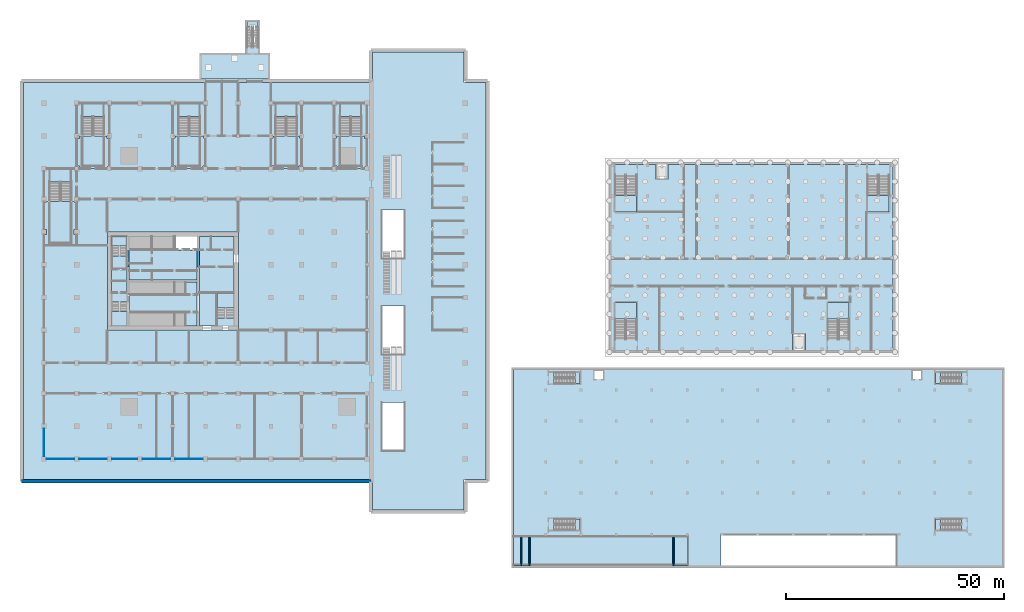
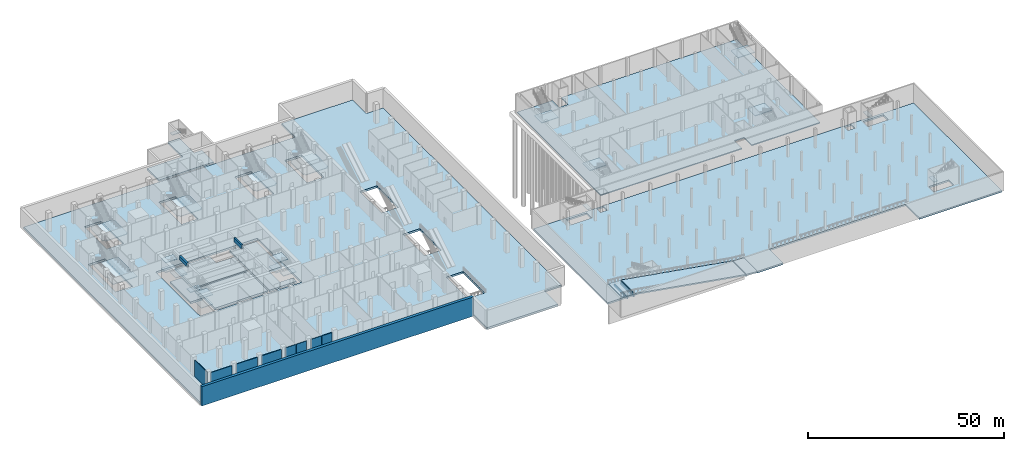
# One storey, part 4 of 45: 34 slabs, 9 walls, 5 beams, 17 elements without a shape of their own.
"""IFC4 building model written with IfcOpenShell, lengths in metres."""

from ifc_helpers import new_model, si_unit, direction, frame, frame_2d, origin, origin_2d, place, context, subcontext, project, spatial, polyline, rectangle, outline, extrude, material, layer, layer_set, material_profile, profile_set, type_object, element, aggregate, save


model = new_model("IFC4")

# Units and contexts
model_context = context("Model", 3, precision=1e-05, world=origin(), true_north=direction((0.0, 1.0)))
body_context = subcontext(model_context, "Body", "Model", "MODEL_VIEW")
ifc_project = project(units=[si_unit("LENGTHUNIT", "METRE"), si_unit("AREAUNIT", "SQUARE_METRE"), si_unit("VOLUMEUNIT", "CUBIC_METRE"), si_unit("PLANEANGLEUNIT", "RADIAN"), si_unit("MASSUNIT", "GRAM", prefix="KILO")], contexts=[model_context])

# Site, building, storey
site_placement = place(None, origin())
site = spatial("IfcSite", under=ifc_project, at=site_placement, CompositionType="ELEMENT")
building_placement = place(site_placement, origin())
building = spatial("IfcBuilding", under=site, at=building_placement, Name="Tamorin Gate", CompositionType="ELEMENT")
storey_placement = place(building_placement, frame((0.0, 0.0, -6.0)))
storey = spatial("IfcBuildingStorey", under=building, at=storey_placement, Name="B1", CompositionType="ELEMENT", Elevation=-6.0)

# Beams
ifc_material_1 = material(Name="Concrete C40/50", Category="concrete")
ifc_material_profile_1 = material_profile(ifc_material_1, rectangle(XDim=0.300048828125, YDim=0.60009765625, at=origin_2d()))
ifc_profile_set_1 = profile_set([ifc_material_profile_1], Name="Concrete C40/50")
beam_type_1 = type_object("IfcBeamType", Name="RC Ramp edge beam 300x600 C40/50", PredefinedType="BEAM", material=ifc_profile_set_1)
for number, where, z_axis, x_axis, name in (
    (1, (124.800048828125, 6.0, 5.163330078125), (0.0, 1.0, 0.0), (-1.0, 0.0, 0.0), "Ramp edge beam"),
    (2, (126.71337890625, 6.0, 5.0556640625), (0.0, 1.0, 0.0), (-1.0, 0.0, 0.0), "Ramp junction beam"),
    (3, (159.699951171875, 6.0, -0.050048828125), (0.0, 1.0, 0.0), (-1.0, 0.0, 0.0), "Ramp junction beam"),
):
    element("IfcBeam", number, at=place(storey_placement, frame(where, z_axis=z_axis, x_axis=x_axis)), inside=storey, type_object=beam_type_1, Name=name, PredefinedType="BEAM", context=body_context, shape_type="SweptSolid", body=[
        extrude(rectangle(XDim=0.300048828125, YDim=0.60009765625, at=origin_2d()), origin(), (0.0, 0.0, 1.0), 6.60009765625),
    ])
ifc_material_2 = material(Name="Concrete C80/95", Category="concrete")
ifc_material_profile_2 = material_profile(ifc_material_2, rectangle(XDim=0.5, YDim=1.199951171875, at=origin_2d()), Name="RC 500x1200")
ifc_profile_set_2 = profile_set([ifc_material_profile_2], Name="Concrete C80/95")
beam_type_2 = type_object("IfcBeamType", Name="RC coupling beam 500x1200 C80/95", PredefinedType="BEAM", material=ifc_profile_set_2)
for number, where, z_axis, x_axis, name in (
    (4, (34.75, 74.449951171875, 5.39990234375), (0.0, 1.0, 0.0), (-1.0, 0.0, 0.0), "Coupling beam B1"),
    (5, (50.85009765625, 74.449951171875, 5.39990234375), (0.0, 1.0, 0.0), (-1.0, 0.0, 0.0), "Coupling beam B1"),
):
    element("IfcBeam", number, at=place(storey_placement, frame(where, z_axis=z_axis, x_axis=x_axis)), inside=storey, type_object=beam_type_2, Name=name, PredefinedType="BEAM", context=body_context, shape_type="SweptSolid", body=[
        extrude(rectangle(XDim=0.5, YDim=1.199951171875, at=origin_2d()), origin(), (0.0, 0.0, 1.0), 3.85009765625),
    ])

# Slabs
ifc_layer_1 = layer(ifc_material_1, 0.60009765625)
ifc_layer_set_1 = layer_set([ifc_layer_1], Name="Basement slab 600 C40/50")
slab_type_1 = type_object("IfcSlabType", Name="Basement slab 600 C40/50", PredefinedType="BASESLAB", material=ifc_layer_set_1)
slab_1_placement = place(storey_placement, frame((0.0, 0.0, -0.60009765625)))
element("IfcSlab", 6, at=slab_1_placement, inside=storey, type_object=slab_type_1, Name="Basement B1", PredefinedType="FLOOR", context=body_context, shape_type="SweptSolid", body=[
    extrude(outline(polyline([(116.699951171875, 116.699951171875), (116.699951171875, 25.800048828125), (111.699951171875, 25.800048828125), (111.699951171875, 18.800048828125), (90.800048828125, 18.800048828125), (90.800048828125, 25.800048828125), (10.800048828125, 25.800048828125), (10.800048828125, 116.699951171875), (90.800048828125, 116.699951171875), (90.800048828125, 123.699951171875), (111.699951171875, 123.699951171875), (111.699951171875, 116.699951171875), (116.699951171875, 116.699951171875)]), holes=[polyline([(60.0, 60.0), (60.0, 82.5), (30.0, 82.5), (30.0, 60.0), (60.0, 60.0)]), polyline([(16.775390625, 93.99951171875), (21.724609375, 93.99951171875), (21.724609375, 80.00048828125), (16.775390625, 80.00048828125), (16.775390625, 93.99951171875)]), polyline([(24.275390625, 108.99951171875), (29.224609375, 108.99951171875), (29.224609375, 97.6005859375), (24.275390625, 97.6005859375), (24.275390625, 108.99951171875)]), polyline([(46.275390625, 108.99951171875), (51.224609375, 108.99951171875), (51.224609375, 97.6005859375), (46.275390625, 97.6005859375), (46.275390625, 108.99951171875)]), polyline([(68.525390625, 108.99951171875), (73.474609375, 108.99951171875), (73.474609375, 97.6005859375), (68.525390625, 97.6005859375), (68.525390625, 108.99951171875)]), polyline([(83.275390625, 108.99951171875), (88.224609375, 108.99951171875), (88.224609375, 97.6005859375), (83.275390625, 97.6005859375), (83.275390625, 108.99951171875)]), polyline([(97.99951171875, 32.50048828125), (93.00048828125, 32.50048828125), (93.00048828125, 43.49951171875), (97.99951171875, 43.49951171875), (97.99951171875, 32.50048828125)]), polyline([(97.99951171875, 54.50048828125), (93.00048828125, 54.50048828125), (93.00048828125, 65.49951171875), (97.99951171875, 65.49951171875), (97.99951171875, 54.50048828125)]), polyline([(97.99951171875, 76.50048828125), (93.00048828125, 76.50048828125), (93.00048828125, 87.49951171875), (97.99951171875, 87.49951171875), (97.99951171875, 76.50048828125)])]), origin(), (0.0, 0.0, 1.0), 0.60009765625),
])
ifc_layer_2 = layer(ifc_material_1, 0.5)
ifc_layer_set_2 = layer_set([ifc_layer_2], Name="Car park deck slab 500 C40/50")
slab_type_2 = type_object("IfcSlabType", Name="Car park deck slab 500 C40/50", PredefinedType="FLOOR", material=ifc_layer_set_2)
slab_2_placement = place(storey_placement, frame((0.0, 0.0, -0.5)))
element("IfcSlab", 7, at=slab_2_placement, inside=storey, type_object=slab_type_2, Name="Car park deck B1", PredefinedType="FLOOR", context=body_context, shape_type="SweptSolid", body=[
    extrude(outline(polyline([(123.0, 51.0), (235.0, 51.0), (235.0, 6.0), (210.699951171875, 6.0), (210.699951171875, 13.0), (170.60009765625, 13.0), (170.60009765625, 6.0), (163.10009765625, 6.0), (163.10009765625, 13.0), (123.0, 13.0), (123.0, 51.0)]), holes=[polyline([(138.309326171875, 16.79931640625), (132.3505859375, 16.79931640625), (132.3505859375, 14.25048828125), (138.309326171875, 14.25048828125), (138.309326171875, 16.79931640625)]), polyline([(219.690673828125, 14.25048828125), (225.6494140625, 14.25048828125), (225.6494140625, 16.79931640625), (219.690673828125, 16.79931640625), (219.690673828125, 14.25048828125)]), polyline([(138.309326171875, 50.29931640625), (132.3505859375, 50.29931640625), (132.3505859375, 47.75048828125), (138.309326171875, 47.75048828125), (138.309326171875, 50.29931640625)]), polyline([(219.690673828125, 47.75048828125), (225.6494140625, 47.75048828125), (225.6494140625, 50.29931640625), (219.690673828125, 50.29931640625), (219.690673828125, 47.75048828125)]), polyline([(141.550048828125, 50.75), (141.550048828125, 48.75), (143.550048828125, 48.75), (143.550048828125, 50.75), (141.550048828125, 50.75)]), polyline([(214.449951171875, 50.75), (214.449951171875, 48.75), (216.449951171875, 48.75), (216.449951171875, 50.75), (214.449951171875, 50.75)])]), origin(), (0.0, 0.0, 1.0), 0.5),
])
ifc_layer_3 = layer(ifc_material_1, 0.60009765625)
ifc_layer_set_3 = layer_set([ifc_layer_3], Name="Core floor slab 600 C40/50")
slab_type_3 = type_object("IfcSlabType", Name="Core floor slab 600 C40/50", PredefinedType="FLOOR", material=ifc_layer_set_3)
slab_3_placement = place(storey_placement, frame((0.0, 0.0, -0.60009765625)))
element("IfcSlab", 8, at=slab_3_placement, inside=storey, type_object=slab_type_3, Name="Core floor B1", PredefinedType="FLOOR", context=body_context, shape_type="SweptSolid", body=[
    extrude(outline(polyline([(55.199951171875, 68.5), (55.199951171875, 62.800048828125), (59.0, 62.800048828125), (59.0, 61.0), (51.10009765625, 61.0), (51.10009765625, 81.5), (59.0, 81.5), (59.0, 68.5), (55.199951171875, 68.5)])), origin(), (0.0, 0.0, 1.0), 0.60009765625),
])
slab_4_placement = place(storey_placement, frame((0.0, 0.0, -0.60009765625)))
element("IfcSlab", 9, at=slab_4_placement, inside=storey, type_object=slab_type_3, Name="Core floor B1", PredefinedType="FLOOR", context=body_context, shape_type="SweptSolid", body=[
    extrude(outline(polyline([(35.0, 71.0), (50.60009765625, 71.0), (50.60009765625, 61.0), (35.0, 61.0), (35.0, 71.0)])), origin(), (0.0, 0.0, 1.0), 0.60009765625),
])
slab_5_placement = place(storey_placement, frame((0.0, 0.0, -0.60009765625)))
element("IfcSlab", 10, at=slab_5_placement, inside=storey, type_object=slab_type_3, Name="Core floor B1", PredefinedType="FLOOR", context=body_context, shape_type="SweptSolid", body=[
    extrude(outline(polyline([(35.0, 81.5), (45.39990234375, 81.5), (45.39990234375, 78.300048828125), (50.60009765625, 78.300048828125), (50.60009765625, 71.5), (35.0, 71.5), (35.0, 81.5)])), origin(), (0.0, 0.0, 1.0), 0.60009765625),
])
slab_6_placement = place(storey_placement, frame((0.0, 0.0, -0.60009765625)))
element("IfcSlab", 11, at=slab_6_placement, inside=storey, type_object=slab_type_3, Name="Core floor B1", PredefinedType="FLOOR", context=body_context, shape_type="SweptSolid", body=[
    extrude(outline(polyline([(34.5, 77.0), (34.5, 66.5), (31.0, 66.5), (31.0, 77.0), (34.5, 77.0)])), origin(), (0.0, 0.0, 1.0), 0.60009765625),
])

# Stair, slabs
stair_type_1 = type_object("IfcStairType", Name="Exit stair", PredefinedType="HALF_TURN_STAIR", material=ifc_material_1)
stair_1_placement = place(storey_placement, origin())
stair_1 = element("IfcStair", 12, at=stair_1_placement, inside=storey, type_object=stair_type_1, Name="B1 stair ST1", PredefinedType="HALF_TURN_STAIR")
ifc_layer_4 = layer(ifc_material_1, 0.199951171875)
ifc_layer_set_4 = layer_set([ifc_layer_4], Name="Exit stair landing 200")
slab_type_4 = type_object("IfcSlabType", Name="Exit stair landing 200", PredefinedType="LANDING", material=ifc_layer_set_4)
slab_7_placement = place(storey_placement, frame((0.0, 0.0, 1.300048828125)))
slab_7 = element("IfcSlab", 13, at=slab_7_placement, type_object=slab_type_4, Name="ST1 landing 1", PredefinedType="LANDING", context=body_context, shape_type="SweptSolid", body=[
    extrude(outline(polyline([(31.0, 64.260009765625), (31.0, 61.0), (34.5, 61.0), (34.5, 64.260009765625), (31.0, 64.260009765625)])), origin(), (0.0, 0.0, 1.0), 0.199951171875),
])
slab_8_placement = place(storey_placement, frame((0.0, 0.0, 2.800048828125)))
slab_8 = element("IfcSlab", 14, at=slab_8_placement, type_object=slab_type_4, Name="ST1 landing 2", PredefinedType="LANDING", context=body_context, shape_type="SweptSolid", body=[
    extrude(outline(polyline([(31.0, 68.5), (31.0, 66.5), (34.5, 66.5), (34.5, 68.5), (31.0, 68.5)])), origin(), (0.0, 0.0, 1.0), 0.199951171875),
])
slab_9_placement = place(storey_placement, frame((0.0, 0.0, 4.300048828125)))
slab_9 = element("IfcSlab", 15, at=slab_9_placement, type_object=slab_type_4, Name="ST1 landing 3", PredefinedType="LANDING", context=body_context, shape_type="SweptSolid", body=[
    extrude(outline(polyline([(31.0, 64.260009765625), (31.0, 61.0), (34.5, 61.0), (34.5, 64.260009765625), (31.0, 64.260009765625)])), origin(), (0.0, 0.0, 1.0), 0.199951171875),
])
aggregate(stair_1, [slab_7, slab_8, slab_9])

stair_2_placement = place(storey_placement, origin())
stair_2 = element("IfcStair", 16, at=stair_2_placement, inside=storey, type_object=stair_type_1, Name="B1 stair ST2", PredefinedType="HALF_TURN_STAIR")
slab_10_placement = place(storey_placement, frame((0.0, 0.0, 1.300048828125)))
slab_10 = element("IfcSlab", 17, at=slab_10_placement, type_object=slab_type_4, Name="ST2 landing 1", PredefinedType="LANDING", context=body_context, shape_type="SweptSolid", body=[
    extrude(outline(polyline([(34.5, 79.239990234375), (34.5, 81.5), (31.0, 81.5), (31.0, 79.239990234375), (34.5, 79.239990234375)])), origin(), (0.0, 0.0, 1.0), 0.199951171875),
])
slab_11_placement = place(storey_placement, frame((0.0, 0.0, 2.800048828125)))
slab_11 = element("IfcSlab", 18, at=slab_11_placement, type_object=slab_type_4, Name="ST2 landing 2", PredefinedType="LANDING", context=body_context, shape_type="SweptSolid", body=[
    extrude(outline(polyline([(34.5, 74.0), (34.5, 77.0), (31.0, 77.0), (31.0, 74.0), (34.5, 74.0)])), origin(), (0.0, 0.0, 1.0), 0.199951171875),
])
slab_12_placement = place(storey_placement, frame((0.0, 0.0, 4.300048828125)))
slab_12 = element("IfcSlab", 19, at=slab_12_placement, type_object=slab_type_4, Name="ST2 landing 3", PredefinedType="LANDING", context=body_context, shape_type="SweptSolid", body=[
    extrude(outline(polyline([(34.5, 79.239990234375), (34.5, 81.5), (31.0, 81.5), (31.0, 79.239990234375), (34.5, 79.239990234375)])), origin(), (0.0, 0.0, 1.0), 0.199951171875),
])
aggregate(stair_2, [slab_10, slab_11, slab_12])

stair_3_placement = place(storey_placement, origin())
stair_3 = element("IfcStair", 20, at=stair_3_placement, inside=storey, type_object=stair_type_1, Name="B1 stair ST3", PredefinedType="HALF_TURN_STAIR")
slab_13_placement = place(storey_placement, frame((0.0, 0.0, 1.300048828125)))
slab_13 = element("IfcSlab", 21, at=slab_13_placement, type_object=slab_type_4, Name="ST3 landing 1", PredefinedType="LANDING", context=body_context, shape_type="SweptSolid", body=[
    extrude(outline(polyline([(59.0, 65.0400390625), (59.0, 68.5), (55.199951171875, 68.5), (55.199951171875, 65.0400390625), (59.0, 65.0400390625)])), origin(), (0.0, 0.0, 1.0), 0.199951171875),
])
slab_14_placement = place(storey_placement, frame((0.0, 0.0, 2.800048828125)))
slab_14 = element("IfcSlab", 22, at=slab_14_placement, type_object=slab_type_4, Name="ST3 landing 2", PredefinedType="LANDING", context=body_context, shape_type="SweptSolid", body=[
    extrude(outline(polyline([(59.0, 61.0), (59.0, 62.800048828125), (55.199951171875, 62.800048828125), (55.199951171875, 61.0), (59.0, 61.0)])), origin(), (0.0, 0.0, 1.0), 0.199951171875),
])
slab_15_placement = place(storey_placement, frame((0.0, 0.0, 4.300048828125)))
slab_15 = element("IfcSlab", 23, at=slab_15_placement, type_object=slab_type_4, Name="ST3 landing 3", PredefinedType="LANDING", context=body_context, shape_type="SweptSolid", body=[
    extrude(outline(polyline([(59.0, 65.0400390625), (59.0, 68.5), (55.199951171875, 68.5), (55.199951171875, 65.0400390625), (59.0, 65.0400390625)])), origin(), (0.0, 0.0, 1.0), 0.199951171875),
])
aggregate(stair_3, [slab_13, slab_14, slab_15])

# Slab
ifc_layer_5 = layer(ifc_material_1, 0.300048828125)
ifc_layer_set_5 = layer_set([ifc_layer_5], Name="Museum basement floor slab 300 C40/50")
slab_type_5 = type_object("IfcSlabType", Name="Museum basement floor slab 300 C40/50", PredefinedType="BASESLAB", material=ifc_layer_set_5)
slab_16_placement = place(storey_placement, frame((0.0, 0.0, -0.300048828125)))
element("IfcSlab", 24, at=slab_16_placement, inside=storey, type_object=slab_type_5, Name="Museum basement floor", PredefinedType="BASESLAB", context=body_context, shape_type="SweptSolid", body=[
    extrude(outline(polyline([(210.0, 98.0), (210.0, 55.39990234375), (189.89990234375, 55.39990234375), (189.89990234375, 59.300048828125), (187.0, 59.300048828125), (187.0, 55.39990234375), (145.39990234375, 55.39990234375), (145.39990234375, 98.0), (155.699951171875, 98.0), (155.699951171875, 94.5), (158.39990234375, 94.5), (158.39990234375, 98.0), (210.0, 98.0)])), origin(), (0.0, 0.0, 1.0), 0.300048828125),
])

# Stair, slab
stair_type_2 = type_object("IfcStairType", Name="Museum exit stair 2400 C40/50", PredefinedType="HALF_TURN_STAIR", material=ifc_material_1)
stair_4_placement = place(storey_placement, origin())
stair_4 = element("IfcStair", 25, at=stair_4_placement, inside=storey, type_object=stair_type_2, Name="B1 PS6", PredefinedType="HALF_TURN_STAIR")
ifc_layer_6 = layer(ifc_material_1, 0.199951171875)
ifc_layer_set_6 = layer_set([ifc_layer_6], Name="Museum stair landing slab 200 C40/50")
slab_type_6 = type_object("IfcSlabType", Name="Museum stair landing slab 200 C40/50", PredefinedType="LANDING", material=ifc_layer_set_6)
slab_17_placement = place(storey_placement, frame((0.0, 0.0, 2.800048828125)))
slab_17 = element("IfcSlab", 26, at=slab_17_placement, type_object=slab_type_6, Name="PS6 landing 1", PredefinedType="LANDING", context=body_context, shape_type="SweptSolid", body=[
    extrude(outline(polyline([(146.300048828125, 90.840087890625), (146.300048828125, 87.0400390625), (151.25, 87.0400390625), (151.25, 90.840087890625), (146.300048828125, 90.840087890625)])), origin(), (0.0, 0.0, 1.0), 0.199951171875),
])
aggregate(stair_4, [slab_17])

stair_5_placement = place(storey_placement, origin())
stair_5 = element("IfcStair", 27, at=stair_5_placement, inside=storey, type_object=stair_type_2, Name="B1 PS7", PredefinedType="HALF_TURN_STAIR")
slab_18_placement = place(storey_placement, frame((0.0, 0.0, 2.800048828125)))
slab_18 = element("IfcSlab", 28, at=slab_18_placement, type_object=slab_type_6, Name="PS7 landing 1", PredefinedType="LANDING", context=body_context, shape_type="SweptSolid", body=[
    extrude(outline(polyline([(199.949951171875, 62.56005859375), (199.949951171875, 66.360107421875), (195.0, 66.360107421875), (195.0, 62.56005859375), (199.949951171875, 62.56005859375)])), origin(), (0.0, 0.0, 1.0), 0.199951171875),
])
aggregate(stair_5, [slab_18])

stair_6_placement = place(storey_placement, origin())
stair_6 = element("IfcStair", 29, at=stair_6_placement, inside=storey, type_object=stair_type_2, Name="B1 PS8", PredefinedType="HALF_TURN_STAIR")
slab_19_placement = place(storey_placement, frame((0.0, 0.0, 2.800048828125)))
slab_19 = element("IfcSlab", 30, at=slab_19_placement, type_object=slab_type_6, Name="PS8 landing 1", PredefinedType="LANDING", context=body_context, shape_type="SweptSolid", body=[
    extrude(outline(polyline([(151.25, 62.56005859375), (151.25, 66.360107421875), (146.300048828125, 66.360107421875), (146.300048828125, 62.56005859375), (151.25, 62.56005859375)])), origin(), (0.0, 0.0, 1.0), 0.199951171875),
])
aggregate(stair_6, [slab_19])

stair_7_placement = place(storey_placement, origin())
stair_7 = element("IfcStair", 31, at=stair_7_placement, inside=storey, type_object=stair_type_2, Name="B1 PS9", PredefinedType="HALF_TURN_STAIR")
slab_20_placement = place(storey_placement, frame((0.0, 0.0, 2.800048828125)))
slab_20 = element("IfcSlab", 32, at=slab_20_placement, type_object=slab_type_6, Name="PS9 landing 1", PredefinedType="LANDING", context=body_context, shape_type="SweptSolid", body=[
    extrude(outline(polyline([(204.14990234375, 90.840087890625), (204.14990234375, 87.0400390625), (209.10009765625, 87.0400390625), (209.10009765625, 90.840087890625), (204.14990234375, 90.840087890625)])), origin(), (0.0, 0.0, 1.0), 0.199951171875),
])
aggregate(stair_7, [slab_20])

# Slab
ifc_layer_7 = layer(ifc_material_1, 0.5)
ifc_layer_set_7 = layer_set([ifc_layer_7], Name="Service court slab 500 C40/50")
slab_type_7 = type_object("IfcSlabType", Name="Service court slab 500 C40/50", PredefinedType="BASESLAB", material=ifc_layer_set_7)
slab_21_placement = place(storey_placement, frame((0.0, 0.0, -0.5)))
element("IfcSlab", 33, at=slab_21_placement, inside=storey, type_object=slab_type_7, Name="Service court slab", PredefinedType="BASESLAB", context=body_context, shape_type="SweptSolid", body=[
    extrude(outline(polyline([(67.300048828125, 123.5), (67.300048828125, 117.5), (51.10009765625, 117.5), (51.10009765625, 123.5), (61.60009765625, 123.5), (61.60009765625, 131.06005859375), (64.949951171875, 131.06005859375), (64.949951171875, 123.5), (67.300048828125, 123.5)])), origin(), (0.0, 0.0, 1.0), 0.5),
])

# Stair, slab
ifc_material_3 = material(Name="Reinforced concrete C32/40", Category="concrete")
stair_type_3 = type_object("IfcStairType", Name="Basement stair SB", PredefinedType="HALF_TURN_STAIR", material=ifc_material_3)
stair_8_placement = place(storey_placement, origin())
stair_8 = element("IfcStair", 34, at=stair_8_placement, inside=storey, type_object=stair_type_3, Name="B1 Basement stair SB1", PredefinedType="HALF_TURN_STAIR")
ifc_layer_8 = layer(ifc_material_3, 0.199951171875)
ifc_layer_set_8 = layer_set([ifc_layer_8], Name="Stair landing 200")
slab_type_8 = type_object("IfcSlabType", Name="Stair landing 200", PredefinedType="LANDING", material=ifc_layer_set_8)
slab_22_placement = place(storey_placement, frame((0.0, 0.0, 2.800048828125)))
slab_22 = element("IfcSlab", 35, at=slab_22_placement, type_object=slab_type_8, Name="SB1 landing 1", PredefinedType="LANDING", context=body_context, shape_type="SweptSolid", body=[
    extrude(outline(polyline([(22.39990234375, 83.10009765625), (22.39990234375, 81.89990234375), (22.89990234375, 81.89990234375), (22.89990234375, 79.5), (15.64990234375, 79.5), (15.64990234375, 81.89990234375), (16.10009765625, 81.89990234375), (16.10009765625, 83.10009765625), (15.64990234375, 83.10009765625), (15.64990234375, 89.39990234375), (16.10009765625, 89.39990234375), (16.10009765625, 89.52001953125), (22.39990234375, 89.52001953125), (22.39990234375, 89.39990234375), (22.89990234375, 89.39990234375), (22.89990234375, 83.10009765625), (22.39990234375, 83.10009765625)])), origin(), (0.0, 0.0, 1.0), 0.199951171875),
])
aggregate(stair_8, [slab_22])

stair_9_placement = place(storey_placement, origin())
stair_9 = element("IfcStair", 36, at=stair_9_placement, inside=storey, type_object=stair_type_3, Name="B1 Basement stair SB2", PredefinedType="HALF_TURN_STAIR")
slab_23_placement = place(storey_placement, frame((0.0, 0.0, 2.800048828125)))
slab_23 = element("IfcSlab", 37, at=slab_23_placement, type_object=slab_type_8, Name="SB2 landing 1", PredefinedType="LANDING", context=body_context, shape_type="SweptSolid", body=[
    extrude(outline(polyline([(30.39990234375, 97.5), (30.0, 97.5), (30.0, 97.10009765625), (23.60009765625, 97.10009765625), (23.60009765625, 97.60009765625), (23.10009765625, 97.60009765625), (23.10009765625, 103.89990234375), (23.60009765625, 103.89990234375), (23.60009765625, 104.52001953125), (29.89990234375, 104.52001953125), (29.89990234375, 103.89990234375), (30.39990234375, 103.89990234375), (30.39990234375, 97.5)])), origin(), (0.0, 0.0, 1.0), 0.199951171875),
])
aggregate(stair_9, [slab_23])

stair_10_placement = place(storey_placement, origin())
stair_10 = element("IfcStair", 38, at=stair_10_placement, inside=storey, type_object=stair_type_3, Name="B1 Basement stair SB3", PredefinedType="HALF_TURN_STAIR")
slab_24_placement = place(storey_placement, frame((0.0, 0.0, 2.800048828125)))
slab_24 = element("IfcSlab", 39, at=slab_24_placement, type_object=slab_type_8, Name="SB3 landing 1", PredefinedType="LANDING", context=body_context, shape_type="SweptSolid", body=[
    extrude(outline(polyline([(51.89990234375, 97.60009765625), (51.89990234375, 97.10009765625), (45.60009765625, 97.10009765625), (45.60009765625, 97.60009765625), (45.10009765625, 97.60009765625), (45.10009765625, 104.0), (45.5, 104.0), (45.5, 104.52001953125), (52.0, 104.52001953125), (52.0, 104.0), (52.39990234375, 104.0), (52.39990234375, 97.60009765625), (51.89990234375, 97.60009765625)])), origin(), (0.0, 0.0, 1.0), 0.199951171875),
])
aggregate(stair_10, [slab_24])

stair_11_placement = place(storey_placement, origin())
stair_11 = element("IfcStair", 40, at=stair_11_placement, inside=storey, type_object=stair_type_3, Name="B1 Basement stair SB4", PredefinedType="HALF_TURN_STAIR")
slab_25_placement = place(storey_placement, frame((0.0, 0.0, 2.800048828125)))
slab_25 = element("IfcSlab", 41, at=slab_25_placement, type_object=slab_type_8, Name="SB4 landing 1", PredefinedType="LANDING", context=body_context, shape_type="SweptSolid", body=[
    extrude(outline(polyline([(73.89990234375, 97.60009765625), (73.89990234375, 97.10009765625), (68.10009765625, 97.10009765625), (68.10009765625, 97.60009765625), (67.60009765625, 97.60009765625), (67.60009765625, 104.0), (68.0, 104.0), (68.0, 104.52001953125), (74.0, 104.52001953125), (74.0, 104.0), (74.39990234375, 104.0), (74.39990234375, 97.60009765625), (73.89990234375, 97.60009765625)])), origin(), (0.0, 0.0, 1.0), 0.199951171875),
])
aggregate(stair_11, [slab_25])

stair_12_placement = place(storey_placement, origin())
stair_12 = element("IfcStair", 42, at=stair_12_placement, inside=storey, type_object=stair_type_3, Name="B1 Basement stair SB5", PredefinedType="HALF_TURN_STAIR")
slab_26_placement = place(storey_placement, frame((0.0, 0.0, 2.800048828125)))
slab_26 = element("IfcSlab", 43, at=slab_26_placement, type_object=slab_type_8, Name="SB5 landing 1", PredefinedType="LANDING", context=body_context, shape_type="SweptSolid", body=[
    extrude(outline(polyline([(89.0, 97.10009765625), (82.60009765625, 97.10009765625), (82.60009765625, 97.60009765625), (82.10009765625, 97.60009765625), (82.10009765625, 104.0), (82.5, 104.0), (82.5, 104.52001953125), (88.89990234375, 104.52001953125), (88.89990234375, 103.89990234375), (89.39990234375, 103.89990234375), (89.39990234375, 97.5), (89.0, 97.5), (89.0, 97.10009765625)])), origin(), (0.0, 0.0, 1.0), 0.199951171875),
])
aggregate(stair_12, [slab_26])

stair_type_4 = type_object("IfcStairType", Name="Exit stair 1200 C40/50", PredefinedType="HALF_TURN_STAIR", material=ifc_material_1)
stair_13_placement = place(storey_placement, origin())
stair_13 = element("IfcStair", 44, at=stair_13_placement, inside=storey, type_object=stair_type_4, Name="B1 SB6", PredefinedType="HALF_TURN_STAIR")
ifc_layer_9 = layer(ifc_material_1, 0.199951171875)
ifc_layer_set_9 = layer_set([ifc_layer_9], Name="Stair landing slab 200 C40/50")
slab_type_9 = type_object("IfcSlabType", Name="Stair landing slab 200 C40/50", PredefinedType="LANDING", material=ifc_layer_set_9)
slab_27_placement = place(storey_placement, frame((0.0, 0.0, 2.800048828125)))
slab_27 = element("IfcSlab", 45, at=slab_27_placement, type_object=slab_type_9, Name="SB6 landing 1", PredefinedType="LANDING", context=body_context, shape_type="SweptSolid", body=[
    extrude(outline(polyline([(137.110107421875, 14.25), (138.31005859375, 14.25), (138.31005859375, 16.800048828125), (137.110107421875, 16.800048828125), (137.110107421875, 14.25)])), origin(), (0.0, 0.0, 1.0), 0.199951171875),
])
aggregate(stair_13, [slab_27])

stair_14_placement = place(storey_placement, origin())
stair_14 = element("IfcStair", 46, at=stair_14_placement, inside=storey, type_object=stair_type_4, Name="B1 SB7", PredefinedType="HALF_TURN_STAIR")
slab_28_placement = place(storey_placement, frame((0.0, 0.0, 2.800048828125)))
slab_28 = element("IfcSlab", 47, at=slab_28_placement, type_object=slab_type_9, Name="SB7 landing 1", PredefinedType="LANDING", context=body_context, shape_type="SweptSolid", body=[
    extrude(outline(polyline([(137.110107421875, 47.75), (138.31005859375, 47.75), (138.31005859375, 50.300048828125), (137.110107421875, 50.300048828125), (137.110107421875, 47.75)])), origin(), (0.0, 0.0, 1.0), 0.199951171875),
])
aggregate(stair_14, [slab_28])

stair_15_placement = place(storey_placement, origin())
stair_15 = element("IfcStair", 48, at=stair_15_placement, inside=storey, type_object=stair_type_4, Name="B1 SB8", PredefinedType="HALF_TURN_STAIR")
slab_29_placement = place(storey_placement, frame((0.0, 0.0, 2.800048828125)))
slab_29 = element("IfcSlab", 49, at=slab_29_placement, type_object=slab_type_9, Name="SB8 landing 1", PredefinedType="LANDING", context=body_context, shape_type="SweptSolid", body=[
    extrude(outline(polyline([(220.889892578125, 16.800048828125), (219.68994140625, 16.800048828125), (219.68994140625, 14.25), (220.889892578125, 14.25), (220.889892578125, 16.800048828125)])), origin(), (0.0, 0.0, 1.0), 0.199951171875),
])
aggregate(stair_15, [slab_29])

stair_16_placement = place(storey_placement, origin())
stair_16 = element("IfcStair", 50, at=stair_16_placement, inside=storey, type_object=stair_type_4, Name="B1 SB9", PredefinedType="HALF_TURN_STAIR")
slab_30_placement = place(storey_placement, frame((0.0, 0.0, 2.800048828125)))
slab_30 = element("IfcSlab", 51, at=slab_30_placement, type_object=slab_type_9, Name="SB9 landing 1", PredefinedType="LANDING", context=body_context, shape_type="SweptSolid", body=[
    extrude(outline(polyline([(220.889892578125, 50.300048828125), (219.68994140625, 50.300048828125), (219.68994140625, 47.75), (220.889892578125, 47.75), (220.889892578125, 50.300048828125)])), origin(), (0.0, 0.0, 1.0), 0.199951171875),
])
aggregate(stair_16, [slab_30])

stair_17_placement = place(storey_placement, origin())
stair_17 = element("IfcStair", 52, at=stair_17_placement, inside=storey, type_object=stair_type_4, Name="B1 SB10", PredefinedType="HALF_TURN_STAIR")
slab_31_placement = place(storey_placement, frame((0.0, 0.0, 2.800048828125)))
slab_31 = element("IfcSlab", 53, at=slab_31_placement, type_object=slab_type_9, Name="SB10 landing 1", PredefinedType="LANDING", context=body_context, shape_type="SweptSolid", body=[
    extrude(outline(polyline([(64.550048828125, 129.4599609375), (64.550048828125, 130.659912109375), (62.0, 130.659912109375), (62.0, 129.4599609375), (64.550048828125, 129.4599609375)])), origin(), (0.0, 0.0, 1.0), 0.199951171875),
])
aggregate(stair_17, [slab_31])

# Slabs
ifc_layer_10 = layer(ifc_material_1, 0.39990234375)
ifc_layer_set_10 = layer_set([ifc_layer_10], Name="Vehicle ramp slab 400 C40/50")
slab_type_10 = type_object("IfcSlabType", Name="Vehicle ramp slab 400 C40/50", PredefinedType="LANDING", material=ifc_layer_set_10)
slab_32_placement = place(storey_placement, frame((123.050048828125, 6.0, 6.0), z_axis=(0.071247049988, 0.0, 0.997458699831), x_axis=(0.997458699831, 0.0, -0.071247049988)))
element("IfcSlab", 54, at=slab_32_placement, inside=storey, type_object=slab_type_10, Name="Vehicle ramp 1 slab 1", PredefinedType="LANDING", context=body_context, shape_type="SweptSolid", body=[
    extrude(outline(polyline([(0.0, 0.0), (1.754458605952275, 0.0), (3.50891721190455, 0.0), (3.50891721190455, 3.5), (3.50891721190455, 7.0), (1.754458605952275, 7.0), (0.0, 7.0), (0.0, 3.5), (0.0, 0.0)])), origin(), (0.0, 0.0, -1.0), 0.39990234375),
])
slab_33_placement = place(storey_placement, frame((126.929931640625, 6.0, 5.75), z_axis=(0.166260895513, 0.0, 0.986081799154), x_axis=(0.986081799154, 0.0, -0.166260895513)))
element("IfcSlab", 55, at=slab_33_placement, inside=storey, type_object=slab_type_10, Name="Vehicle ramp 1 slab 2", PredefinedType="LANDING", context=body_context, shape_type="SweptSolid", body=[
    extrude(outline(polyline([(0.0, 0.0), (16.54026938509643, 0.0), (33.08053877019286, 0.0), (33.08053877019286, 3.4999999999999996), (33.08053877019286, 6.999999999999999), (16.54026938509643, 6.999999999999999), (0.0, 6.999999999999999), (0.0, 3.4999999999999996), (0.0, 0.0)])), origin(), (0.0, 0.0, -1.0), 0.39990234375),
])
slab_34_placement = place(storey_placement, frame((159.550048828125, 6.0, 0.25), z_axis=(0.071247049988, 0.0, 0.997458699831), x_axis=(0.997458699831, 0.0, -0.071247049988)))
element("IfcSlab", 56, at=slab_34_placement, inside=storey, type_object=slab_type_10, Name="Vehicle ramp 1 slab 3", PredefinedType="LANDING", context=body_context, shape_type="SweptSolid", body=[
    extrude(outline(polyline([(0.0, 0.0), (1.754458605952275, 0.0), (3.50891721190455, 0.0), (3.50891721190455, 3.5), (3.50891721190455, 7.0), (1.754458605952275, 7.0), (0.0, 7.0), (0.0, 3.5), (0.0, 0.0)])), origin(), (0.0, 0.0, -1.0), 0.39990234375),
])

# Walls
ifc_material_4 = material(Name="Concrete masonry C20/25", Category="masonry")
ifc_layer_11 = layer(ifc_material_4, 0.14990234375)
ifc_layer_set_11 = layer_set([ifc_layer_11], Name="Partition 150")
wall_type_1 = type_object("IfcWallType", Name="Partition 150", PredefinedType="PARTITIONING", material=ifc_layer_set_11)
for number, where, z_axis, x_axis, name in (
    (57, (16.10009765625, 30.5, 0.0), (0.0, 0.0, 1.0), (1.0, 0.0, 0.0), "Partition 150 B1"),
    (58, (23.60009765625, 30.5, 0.0), (0.0, 0.0, 1.0), (1.0, 0.0, 0.0), "Partition 150 B1"),
):
    element("IfcWall", number, at=place(storey_placement, frame(where, z_axis=z_axis, x_axis=x_axis)), inside=storey, type_object=wall_type_1, Name=name, PredefinedType="PARTITIONING", context=body_context, shape_type="SweptSolid", body=[
        extrude(rectangle(XDim=6.2998046875, YDim=0.14990234375, at=frame_2d((3.14990234375, 0.0))), origin(), (0.0, 0.0, 1.0), 5.10009765625),
    ])
wall_1_placement = place(storey_placement, frame((31.10009765625, 30.5, 0.0), z_axis=(0.0, 0.0, 1.0), x_axis=(1.0, 0.0, 0.0)))
element("IfcWall", 59, at=wall_1_placement, inside=storey, type_object=wall_type_1, Name="Partition 150 B1", PredefinedType="PARTITIONING", context=body_context, shape_type="SweptSolid", body=[
    extrude(rectangle(XDim=5.7998046875, YDim=0.14990234375, at=frame_2d((2.89990234375, 0.0))), origin(), (0.0, 0.0, 1.0), 5.10009765625),
])
for number, where, z_axis, x_axis, name in (
    (60, (38.10009765625, 30.5, 0.0), (0.0, 0.0, 1.0), (1.0, 0.0, 0.0), "Partition 150 B1"),
    (61, (41.324951171875, 30.5, 0.0), (0.0, 0.0, 1.0), (1.0, 0.0, 0.0), "Partition 150 B1"),
    (62, (45.60009765625, 30.5, 0.0), (0.0, 0.0, 1.0), (1.0, 0.0, 0.0), "Partition 150 B1"),
    (63, (48.824951171875, 30.5, 0.0), (0.0, 0.0, 1.0), (1.0, 0.0, 0.0), "Partition 150 B1"),
):
    element("IfcWall", number, at=place(storey_placement, frame(where, z_axis=z_axis, x_axis=x_axis)), inside=storey, type_object=wall_type_1, Name=name, PredefinedType="PARTITIONING", context=body_context, shape_type="SweptSolid", body=[
        extrude(rectangle(XDim=3.074951171875, YDim=0.14990234375, at=frame_2d((1.53759765625, 0.0))), origin(), (0.0, 0.0, 1.0), 5.10009765625),
    ])
wall_2_placement = place(storey_placement, frame((15.5, 31.10009765625, 0.0), z_axis=(0.0, 0.0, 1.0), x_axis=(0.0, 1.0, 0.0)))
element("IfcWall", 64, at=wall_2_placement, inside=storey, type_object=wall_type_1, Name="Partition 150 B1", PredefinedType="PARTITIONING", context=body_context, shape_type="SweptSolid", body=[
    extrude(rectangle(XDim=6.2998046875, YDim=0.14990234375, at=frame_2d((3.14990234375, 0.0))), origin(), (0.0, 0.0, 1.0), 5.10009765625),
])
ifc_layer_12 = layer(ifc_material_1, 0.800048828125)
ifc_layer_set_12 = layer_set([ifc_layer_12], Name="RC basement wall 800 C40/50")
wall_type_2 = type_object("IfcWallType", Name="RC basement wall 800 C40/50", PredefinedType="SHEAR", material=ifc_layer_set_12)
wall_3_placement = place(storey_placement, frame((90.39990234375, 25.39990234375, 0.0), z_axis=(0.0, 0.0, 1.0), x_axis=(-1.0, 0.0, 0.0)))
element("IfcWall", 65, at=wall_3_placement, inside=storey, type_object=wall_type_2, Name="Basement wall B1", PredefinedType="SHEAR", context=body_context, shape_type="SweptSolid", body=[
    extrude(rectangle(XDim=80.0, YDim=0.800048828125, at=frame_2d((40.0, 0.0))), origin(), (0.0, 0.0, 1.0), 6.0),
])

save(model, "model.ifc")
